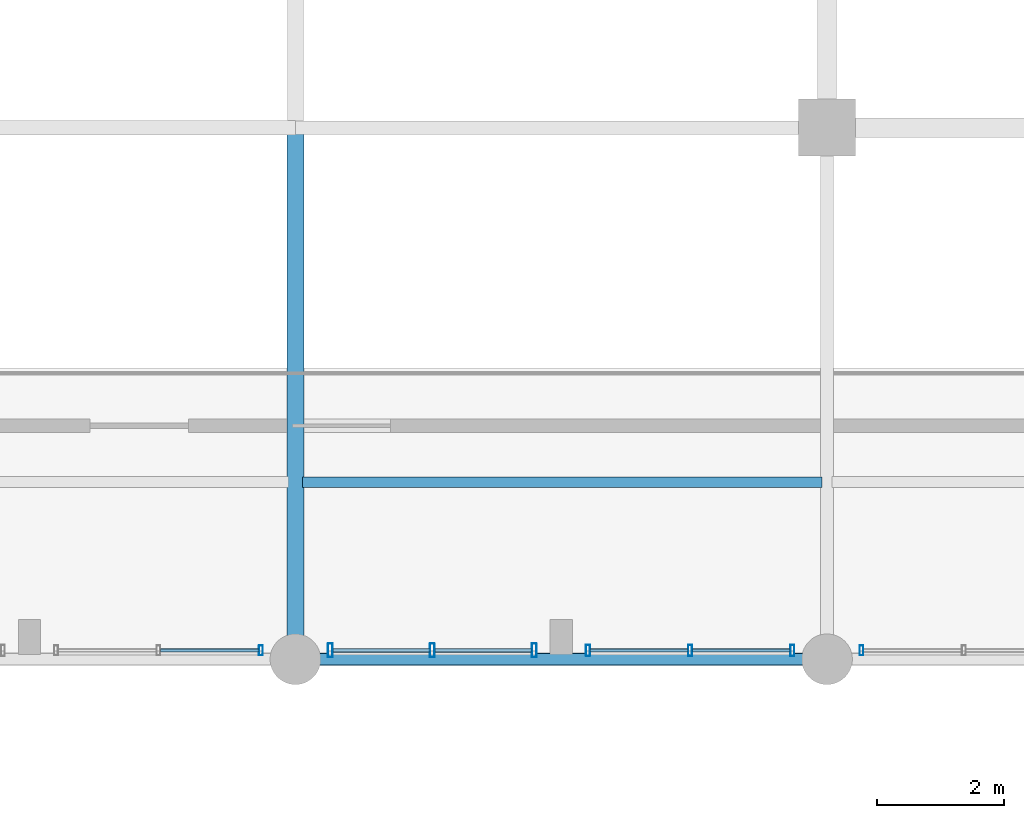
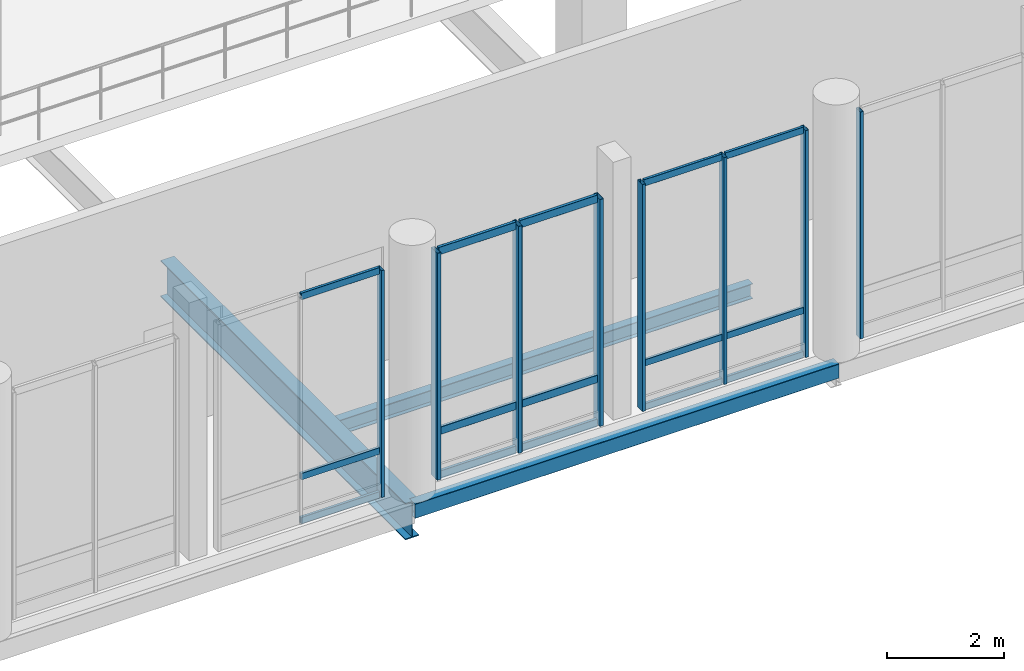
# One storey, part 46 of 128: 23 members, 3 beams, 4 elements without a shape of their own.
"""IFC4 building model written with IfcOpenShell, lengths in metres."""

from ifc_helpers import new_model, si_unit, direction, frame, origin_with_axes, origin_2d_with_axis, place, context, subcontext, project, spatial, hollow_rectangle, i_section, extrude, material, material_profile, profile_set, type_object, element, aggregate, save


model = new_model("IFC4")

# Units and contexts
model_context = context("Model", 3, precision=1e-05, world=origin_with_axes(), true_north=direction((0.0, 1.0)))
body_context = subcontext(model_context, "Body", "Model", "MODEL_VIEW")
ifc_project = project(units=[si_unit("LENGTHUNIT", "METRE"), si_unit("AREAUNIT", "SQUARE_METRE"), si_unit("VOLUMEUNIT", "CUBIC_METRE"), si_unit("PLANEANGLEUNIT", "RADIAN"), si_unit("MASSUNIT", "GRAM", prefix="KILO"), si_unit("THERMODYNAMICTEMPERATUREUNIT", "KELVIN")], contexts=[model_context])

# Site, building, storey
site_placement = place(None, origin_with_axes())
site = spatial("IfcSite", under=ifc_project, at=site_placement, CompositionType="ELEMENT")
building_placement = place(site_placement, origin_with_axes())
building = spatial("IfcBuilding", under=site, at=building_placement, Name="Montbau Bow Law Courts", CompositionType="ELEMENT")
storey_placement = place(building_placement, frame((0.0, 0.0, 5.4), z_axis=(0.0, 0.0, 1.0), x_axis=(1.0, 0.0, 0.0)))
storey = spatial("IfcBuildingStorey", under=building, at=storey_placement, Name="L01", CompositionType="ELEMENT", Elevation=5.4)

# Beams
ifc_material_1 = material(Name="Steel CSA G40.21 Grade 350W (350 MPa)", Category="steel")
ifc_material_profile_1 = material_profile(ifc_material_1, i_section(OverallWidth=0.267, OverallDepth=0.766, WebThickness=0.0149, FlangeThickness=0.0236, at=origin_2d_with_axis()), Name="W760X185", Category="Main", Priority=0)
ifc_profile_set_1 = profile_set([ifc_material_profile_1], Name="Steel CSA G40.21 Grade 350W (350 MPa)")
beam_type_1 = type_object("IfcBeamType", Name="B-FLR-03", PredefinedType="BEAM", material=ifc_profile_set_1)
beam_1_placement = place(None, frame((72.0, 22.2, 4.777), z_axis=(0.0, 1.0, 0.0), x_axis=(-1.0, 0.0, 0.0)))
element("IfcBeam", 1, at=beam_1_placement, inside=storey, type_object=beam_type_1, Name="BM-L01-S1086:bm2_1089", PredefinedType="BEAM", context=body_context, shape_type="SweptSolid", body=[
    extrude(i_section(OverallWidth=0.267, OverallDepth=0.766, WebThickness=0.0149, FlangeThickness=0.0236, at=origin_2d_with_axis()), origin_with_axes(), (0.0, 0.0, 1.0), 8.4),
])
ifc_material_profile_2 = material_profile(ifc_material_1, i_section(OverallWidth=0.166, OverallDepth=0.313, WebThickness=0.0066, FlangeThickness=0.0112, at=origin_2d_with_axis()), Name="W310X45", Category="Main", Priority=0)
ifc_profile_set_2 = profile_set([ifc_material_profile_2], Name="Steel CSA G40.21 Grade 350W (350 MPa)")
beam_type_2 = type_object("IfcBeamType", Name="B-JST-04", PredefinedType="JOIST", material=ifc_profile_set_2)
beam_2_placement = place(None, frame((72.109, 25.0, 5.003), z_axis=(1.0, 0.0, 0.0), x_axis=(0.0, 1.0, 0.0)))
element("IfcBeam", 2, at=beam_2_placement, inside=storey, type_object=beam_type_2, Name="JST-L01-S0551:jst2_0551", PredefinedType="JOIST", context=body_context, shape_type="SweptSolid", body=[
    extrude(i_section(OverallWidth=0.166, OverallDepth=0.313, WebThickness=0.0066, FlangeThickness=0.0112, at=origin_2d_with_axis()), origin_with_axes(), (0.0, 0.0, 1.0), 8.21),
])
ifc_material_2 = material(Name="Steel CSA G40.21 Grade 350WT (350 MPa)", Category="steel")
ifc_material_profile_3 = material_profile(ifc_material_2, hollow_rectangle(XDim=0.203, YDim=0.305, WallThickness=0.0127, InnerFilletRadius=0.0254, OuterFilletRadius=0.0127, at=origin_2d_with_axis()), Name="HSS305X203X13", Category="Main", Priority=0)
ifc_profile_set_3 = profile_set([ifc_material_profile_3], Name="Steel CSA G40.21 Grade 350WT (350 MPa)")
beam_type_3 = type_object("IfcBeamType", Name="B-SPN-02", PredefinedType="SPANDREL", material=ifc_profile_set_3)
beam_3_placement = place(None, frame((72.0, 22.2, 5.008), z_axis=(1.0, 0.0, 0.0), x_axis=(0.0, 1.0, 0.0)))
element("IfcBeam", 3, at=beam_3_placement, inside=storey, type_object=beam_type_3, Name="SPN-L01-S1064:bm2_1067", PredefinedType="SPANDREL", context=body_context, shape_type="SweptSolid", body=[
    extrude(hollow_rectangle(XDim=0.203, YDim=0.305, WallThickness=0.0127, InnerFilletRadius=0.0254, OuterFilletRadius=0.0127, at=origin_2d_with_axis()), origin_with_axes(), (0.0, 0.0, 1.0), 8.4),
])

# Curtain wall, members
ifc_material_3 = material(Name="Thermally Broken Extruded Aluminium AA 6063-T6", Category="aluminium")
curtain_wall_type = type_object("IfcCurtainWallType", Name="CW-WGC-01", PredefinedType="NOTDEFINED", material=ifc_material_3)
curtain_wall_1_placement = place(None, frame((72.515, 22.34, 5.4), z_axis=(0.0, 0.0, 1.0), x_axis=(1.0, 0.0, 0.0)))
curtain_wall_1 = element("IfcCurtainWall", 4, at=curtain_wall_1_placement, inside=storey, type_object=curtain_wall_type, Name="CW-L01-402:cw_0402", PredefinedType="NOTDEFINED")
ifc_material_profile_4 = material_profile(ifc_material_3, hollow_rectangle(XDim=0.075, YDim=0.22, WallThickness=0.005, InnerFilletRadius=0.01, OuterFilletRadius=0.005, at=origin_2d_with_axis()), Name="CWM-220X75", Category="Main", Priority=0)
ifc_profile_set_4 = profile_set([ifc_material_profile_4], Name="Thermally Broken Extruded Aluminium AA 6063-T6")
member_type_1 = type_object("IfcMemberType", Name="M-MUL-01", PredefinedType="MULLION", material=ifc_profile_set_4)
member_1_placement = place(None, frame((72.552, 22.34, 5.4), z_axis=(0.0, 0.0, 1.0), x_axis=(1.0, 0.0, 0.0)))
member_1 = element("IfcMember", 5, at=member_1_placement, type_object=member_type_1, Name="CW-L01-402-M01:cw_0402_M01", PredefinedType="MULLION", context=body_context, shape_type="SweptSolid", body=[
    extrude(hollow_rectangle(XDim=0.075, YDim=0.22, WallThickness=0.005, InnerFilletRadius=0.01, OuterFilletRadius=0.005, at=origin_2d_with_axis()), origin_with_axes(), (0.0, 0.0, 1.0), 4.75),
])
member_2_placement = place(None, frame((74.163, 22.34, 5.4), z_axis=(0.0, 0.0, 1.0), x_axis=(1.0, 0.0, 0.0)))
member_2 = element("IfcMember", 6, at=member_2_placement, type_object=member_type_1, Name="CW-L01-402-M02:cw_0402_M02", PredefinedType="MULLION", context=body_context, shape_type="SweptSolid", body=[
    extrude(hollow_rectangle(XDim=0.075, YDim=0.22, WallThickness=0.005, InnerFilletRadius=0.01, OuterFilletRadius=0.005, at=origin_2d_with_axis()), origin_with_axes(), (0.0, 0.0, 1.0), 4.75),
])
member_3_placement = place(None, frame((75.773, 22.34, 5.4), z_axis=(0.0, 0.0, 1.0), x_axis=(1.0, 0.0, 0.0)))
member_3 = element("IfcMember", 7, at=member_3_placement, type_object=member_type_1, Name="CW-L01-402-M03:cw_0402_M03", PredefinedType="MULLION", context=body_context, shape_type="SweptSolid", body=[
    extrude(hollow_rectangle(XDim=0.075, YDim=0.22, WallThickness=0.005, InnerFilletRadius=0.01, OuterFilletRadius=0.005, at=origin_2d_with_axis()), origin_with_axes(), (0.0, 0.0, 1.0), 4.75),
])

curtain_wall_2_placement = place(None, frame((76.59, 22.34, 5.4), z_axis=(0.0, 0.0, 1.0), x_axis=(1.0, 0.0, 0.0)))
curtain_wall_2 = element("IfcCurtainWall", 8, at=curtain_wall_2_placement, inside=storey, type_object=curtain_wall_type, Name="CW-L01-403:cw_0403", PredefinedType="NOTDEFINED")
ifc_material_profile_5 = material_profile(ifc_material_3, hollow_rectangle(XDim=0.065, YDim=0.18, WallThickness=0.005, InnerFilletRadius=0.01, OuterFilletRadius=0.005, at=origin_2d_with_axis()), Name="CWM-180X65", Category="Main", Priority=0)
ifc_profile_set_5 = profile_set([ifc_material_profile_5], Name="Thermally Broken Extruded Aluminium AA 6063-T6")
member_type_2 = type_object("IfcMemberType", Name="M-MUL-02", PredefinedType="MULLION", material=ifc_profile_set_5)
member_4_placement = place(None, frame((76.623, 22.34, 5.4), z_axis=(0.0, 0.0, 1.0), x_axis=(1.0, 0.0, 0.0)))
member_4 = element("IfcMember", 9, at=member_4_placement, type_object=member_type_2, Name="CW-L01-403-M01:cw_0403_M01", PredefinedType="MULLION", context=body_context, shape_type="SweptSolid", body=[
    extrude(hollow_rectangle(XDim=0.065, YDim=0.18, WallThickness=0.005, InnerFilletRadius=0.01, OuterFilletRadius=0.005, at=origin_2d_with_axis()), origin_with_axes(), (0.0, 0.0, 1.0), 4.75),
])
member_5_placement = place(None, frame((78.238, 22.34, 5.4), z_axis=(0.0, 0.0, 1.0), x_axis=(1.0, 0.0, 0.0)))
member_5 = element("IfcMember", 10, at=member_5_placement, type_object=member_type_2, Name="CW-L01-403-M02:cw_0403_M02", PredefinedType="MULLION", context=body_context, shape_type="SweptSolid", body=[
    extrude(hollow_rectangle(XDim=0.065, YDim=0.18, WallThickness=0.005, InnerFilletRadius=0.01, OuterFilletRadius=0.005, at=origin_2d_with_axis()), origin_with_axes(), (0.0, 0.0, 1.0), 4.75),
])
member_6_placement = place(None, frame((79.853, 22.34, 5.4), z_axis=(0.0, 0.0, 1.0), x_axis=(1.0, 0.0, 0.0)))
member_6 = element("IfcMember", 11, at=member_6_placement, type_object=member_type_2, Name="CW-L01-403-M03:cw_0403_M03", PredefinedType="MULLION", context=body_context, shape_type="SweptSolid", body=[
    extrude(hollow_rectangle(XDim=0.065, YDim=0.18, WallThickness=0.005, InnerFilletRadius=0.01, OuterFilletRadius=0.005, at=origin_2d_with_axis()), origin_with_axes(), (0.0, 0.0, 1.0), 4.75),
])

# Curtain wall, member
curtain_wall_3_placement = place(None, frame((68.19, 22.34, 5.4), z_axis=(0.0, 0.0, 1.0), x_axis=(1.0, 0.0, 0.0)))
curtain_wall_3 = element("IfcCurtainWall", 12, at=curtain_wall_3_placement, inside=storey, type_object=curtain_wall_type, Name="CW-L01-401:cw_0401", PredefinedType="NOTDEFINED")
ifc_material_profile_6 = material_profile(ifc_material_3, hollow_rectangle(XDim=0.06, YDim=0.16, WallThickness=0.004, InnerFilletRadius=0.008, OuterFilletRadius=0.004, at=origin_2d_with_axis()), Name="CWM-160X60", Category="Main", Priority=0)
ifc_profile_set_6 = profile_set([ifc_material_profile_6], Name="Thermally Broken Extruded Aluminium AA 6063-T6")
member_type_3 = type_object("IfcMemberType", Name="M-MUL-03", PredefinedType="MULLION", material=ifc_profile_set_6)
member_7_placement = place(None, frame((71.455, 22.34, 5.4), z_axis=(0.0, 0.0, 1.0), x_axis=(1.0, 0.0, 0.0)))
member_7 = element("IfcMember", 13, at=member_7_placement, type_object=member_type_3, Name="CW-L01-401-M03:cw_0401_M03", PredefinedType="MULLION", context=body_context, shape_type="SweptSolid", body=[
    extrude(hollow_rectangle(XDim=0.06, YDim=0.16, WallThickness=0.004, InnerFilletRadius=0.008, OuterFilletRadius=0.004, at=origin_2d_with_axis()), origin_with_axes(), (0.0, 0.0, 1.0), 4.75),
])

curtain_wall_4_placement = place(None, frame((80.915, 22.34, 5.4), z_axis=(0.0, 0.0, 1.0), x_axis=(1.0, 0.0, 0.0)))
curtain_wall_4 = element("IfcCurtainWall", 14, at=curtain_wall_4_placement, inside=storey, type_object=curtain_wall_type, Name="CW-L01-404:cw_0404", PredefinedType="NOTDEFINED")
member_8_placement = place(None, frame((80.945, 22.34, 5.4), z_axis=(0.0, 0.0, 1.0), x_axis=(1.0, 0.0, 0.0)))
member_8 = element("IfcMember", 15, at=member_8_placement, type_object=member_type_3, Name="CW-L01-404-M01:cw_0404_M01", PredefinedType="MULLION", context=body_context, shape_type="SweptSolid", body=[
    extrude(hollow_rectangle(XDim=0.06, YDim=0.16, WallThickness=0.004, InnerFilletRadius=0.008, OuterFilletRadius=0.004, at=origin_2d_with_axis()), origin_with_axes(), (0.0, 0.0, 1.0), 4.75),
])
aggregate(curtain_wall_4, [member_8])

# Member
ifc_material_profile_7 = material_profile(ifc_material_3, hollow_rectangle(XDim=0.06, YDim=0.16, WallThickness=0.004, InnerFilletRadius=0.008, OuterFilletRadius=0.004, at=origin_2d_with_axis()), Name="CWT-160X60", Category="Main", Priority=0)
ifc_profile_set_7 = profile_set([ifc_material_profile_7], Name="Thermally Broken Extruded Aluminium AA 6063-T6")
member_type_4 = type_object("IfcMemberType", Name="M-TRN-01", PredefinedType="USERDEFINED", material=ifc_profile_set_7)
member_9_placement = place(None, frame((72.591, 22.34, 5.43), z_axis=(1.0, 0.0, 0.0), x_axis=(0.0, 1.0, 0.0)))
member_9 = element("IfcMember", 16, at=member_9_placement, type_object=member_type_4, Name="CW-L01-402-T01-1:cw_0402_T01_1", ObjectType="TRANSOM", PredefinedType="USERDEFINED", context=body_context, shape_type="SweptSolid", body=[
    extrude(hollow_rectangle(XDim=0.06, YDim=0.16, WallThickness=0.004, InnerFilletRadius=0.008, OuterFilletRadius=0.004, at=origin_2d_with_axis()), origin_with_axes(), (0.0, 0.0, 1.0), 1.532),
])

member_10_placement = place(None, frame((72.591, 22.34, 6.35), z_axis=(1.0, 0.0, 0.0), x_axis=(0.0, 1.0, 0.0)))
member_10 = element("IfcMember", 17, at=member_10_placement, type_object=member_type_4, Name="CW-L01-402-T01-2:cw_0402_T01_2", ObjectType="TRANSOM", PredefinedType="USERDEFINED", context=body_context, shape_type="SweptSolid", body=[
    extrude(hollow_rectangle(XDim=0.06, YDim=0.16, WallThickness=0.004, InnerFilletRadius=0.008, OuterFilletRadius=0.004, at=origin_2d_with_axis()), origin_with_axes(), (0.0, 0.0, 1.0), 1.532),
])

member_11_placement = place(None, frame((72.591, 22.34, 10.12), z_axis=(1.0, 0.0, 0.0), x_axis=(0.0, 1.0, 0.0)))
member_11 = element("IfcMember", 18, at=member_11_placement, type_object=member_type_4, Name="CW-L01-402-T01-3:cw_0402_T01_3", ObjectType="TRANSOM", PredefinedType="USERDEFINED", context=body_context, shape_type="SweptSolid", body=[
    extrude(hollow_rectangle(XDim=0.06, YDim=0.16, WallThickness=0.004, InnerFilletRadius=0.008, OuterFilletRadius=0.004, at=origin_2d_with_axis()), origin_with_axes(), (0.0, 0.0, 1.0), 1.532),
])

member_12_placement = place(None, frame((74.203, 22.34, 5.43), z_axis=(1.0, 0.0, 0.0), x_axis=(0.0, 1.0, 0.0)))
member_12 = element("IfcMember", 19, at=member_12_placement, type_object=member_type_4, Name="CW-L01-402-T02-1:cw_0402_T02_1", ObjectType="TRANSOM", PredefinedType="USERDEFINED", context=body_context, shape_type="SweptSolid", body=[
    extrude(hollow_rectangle(XDim=0.06, YDim=0.16, WallThickness=0.004, InnerFilletRadius=0.008, OuterFilletRadius=0.004, at=origin_2d_with_axis()), origin_with_axes(), (0.0, 0.0, 1.0), 1.531),
])

member_13_placement = place(None, frame((74.203, 22.34, 6.35), z_axis=(1.0, 0.0, 0.0), x_axis=(0.0, 1.0, 0.0)))
member_13 = element("IfcMember", 20, at=member_13_placement, type_object=member_type_4, Name="CW-L01-402-T02-2:cw_0402_T02_2", ObjectType="TRANSOM", PredefinedType="USERDEFINED", context=body_context, shape_type="SweptSolid", body=[
    extrude(hollow_rectangle(XDim=0.06, YDim=0.16, WallThickness=0.004, InnerFilletRadius=0.008, OuterFilletRadius=0.004, at=origin_2d_with_axis()), origin_with_axes(), (0.0, 0.0, 1.0), 1.531),
])

member_14_placement = place(None, frame((74.203, 22.34, 10.12), z_axis=(1.0, 0.0, 0.0), x_axis=(0.0, 1.0, 0.0)))
member_14 = element("IfcMember", 21, at=member_14_placement, type_object=member_type_4, Name="CW-L01-402-T02-3:cw_0402_T02_3", ObjectType="TRANSOM", PredefinedType="USERDEFINED", context=body_context, shape_type="SweptSolid", body=[
    extrude(hollow_rectangle(XDim=0.06, YDim=0.16, WallThickness=0.004, InnerFilletRadius=0.008, OuterFilletRadius=0.004, at=origin_2d_with_axis()), origin_with_axes(), (0.0, 0.0, 1.0), 1.531),
])

aggregate(curtain_wall_1, [member_1, member_2, member_3, member_9, member_10, member_11, member_12, member_13, member_14])

ifc_material_profile_8 = material_profile(ifc_material_3, hollow_rectangle(XDim=0.055, YDim=0.14, WallThickness=0.004, InnerFilletRadius=0.008, OuterFilletRadius=0.004, at=origin_2d_with_axis()), Name="CWT-140X55", Category="Main", Priority=0)
ifc_profile_set_8 = profile_set([ifc_material_profile_8], Name="Thermally Broken Extruded Aluminium AA 6063-T6")
member_type_5 = type_object("IfcMemberType", Name="M-TRN-02", PredefinedType="USERDEFINED", material=ifc_profile_set_8)
member_15_placement = place(None, frame((69.87, 22.34, 5.428), z_axis=(1.0, 0.0, 0.0), x_axis=(0.0, 1.0, 0.0)))
member_15 = element("IfcMember", 22, at=member_15_placement, type_object=member_type_5, Name="CW-L01-401-T02-1:cw_0401_T02_1", ObjectType="TRANSOM", PredefinedType="USERDEFINED", context=body_context, shape_type="SweptSolid", body=[
    extrude(hollow_rectangle(XDim=0.055, YDim=0.14, WallThickness=0.004, InnerFilletRadius=0.008, OuterFilletRadius=0.004, at=origin_2d_with_axis()), origin_with_axes(), (0.0, 0.0, 1.0), 1.553),
])

member_16_placement = place(None, frame((69.87, 22.34, 6.35), z_axis=(1.0, 0.0, 0.0), x_axis=(0.0, 1.0, 0.0)))
member_16 = element("IfcMember", 23, at=member_16_placement, type_object=member_type_5, Name="CW-L01-401-T02-2:cw_0401_T02_2", ObjectType="TRANSOM", PredefinedType="USERDEFINED", context=body_context, shape_type="SweptSolid", body=[
    extrude(hollow_rectangle(XDim=0.055, YDim=0.14, WallThickness=0.004, InnerFilletRadius=0.008, OuterFilletRadius=0.004, at=origin_2d_with_axis()), origin_with_axes(), (0.0, 0.0, 1.0), 1.553),
])

member_17_placement = place(None, frame((69.87, 22.34, 10.123), z_axis=(1.0, 0.0, 0.0), x_axis=(0.0, 1.0, 0.0)))
member_17 = element("IfcMember", 24, at=member_17_placement, type_object=member_type_5, Name="CW-L01-401-T02-3:cw_0401_T02_3", ObjectType="TRANSOM", PredefinedType="USERDEFINED", context=body_context, shape_type="SweptSolid", body=[
    extrude(hollow_rectangle(XDim=0.055, YDim=0.14, WallThickness=0.004, InnerFilletRadius=0.008, OuterFilletRadius=0.004, at=origin_2d_with_axis()), origin_with_axes(), (0.0, 0.0, 1.0), 1.553),
])

aggregate(curtain_wall_3, [member_7, member_15, member_16, member_17])

member_18_placement = place(None, frame((76.658, 22.34, 5.428), z_axis=(1.0, 0.0, 0.0), x_axis=(0.0, 1.0, 0.0)))
member_18 = element("IfcMember", 25, at=member_18_placement, type_object=member_type_5, Name="CW-L01-403-T01-1:cw_0403_T01_1", ObjectType="TRANSOM", PredefinedType="USERDEFINED", context=body_context, shape_type="SweptSolid", body=[
    extrude(hollow_rectangle(XDim=0.055, YDim=0.14, WallThickness=0.004, InnerFilletRadius=0.008, OuterFilletRadius=0.004, at=origin_2d_with_axis()), origin_with_axes(), (0.0, 0.0, 1.0), 1.545),
])

member_19_placement = place(None, frame((76.658, 22.34, 6.35), z_axis=(1.0, 0.0, 0.0), x_axis=(0.0, 1.0, 0.0)))
member_19 = element("IfcMember", 26, at=member_19_placement, type_object=member_type_5, Name="CW-L01-403-T01-2:cw_0403_T01_2", ObjectType="TRANSOM", PredefinedType="USERDEFINED", context=body_context, shape_type="SweptSolid", body=[
    extrude(hollow_rectangle(XDim=0.055, YDim=0.14, WallThickness=0.004, InnerFilletRadius=0.008, OuterFilletRadius=0.004, at=origin_2d_with_axis()), origin_with_axes(), (0.0, 0.0, 1.0), 1.545),
])

member_20_placement = place(None, frame((76.658, 22.34, 10.123), z_axis=(1.0, 0.0, 0.0), x_axis=(0.0, 1.0, 0.0)))
member_20 = element("IfcMember", 27, at=member_20_placement, type_object=member_type_5, Name="CW-L01-403-T01-3:cw_0403_T01_3", ObjectType="TRANSOM", PredefinedType="USERDEFINED", context=body_context, shape_type="SweptSolid", body=[
    extrude(hollow_rectangle(XDim=0.055, YDim=0.14, WallThickness=0.004, InnerFilletRadius=0.008, OuterFilletRadius=0.004, at=origin_2d_with_axis()), origin_with_axes(), (0.0, 0.0, 1.0), 1.545),
])

member_21_placement = place(None, frame((78.272, 22.34, 5.428), z_axis=(1.0, 0.0, 0.0), x_axis=(0.0, 1.0, 0.0)))
member_21 = element("IfcMember", 28, at=member_21_placement, type_object=member_type_5, Name="CW-L01-403-T02-1:cw_0403_T02_1", ObjectType="TRANSOM", PredefinedType="USERDEFINED", context=body_context, shape_type="SweptSolid", body=[
    extrude(hollow_rectangle(XDim=0.055, YDim=0.14, WallThickness=0.004, InnerFilletRadius=0.008, OuterFilletRadius=0.004, at=origin_2d_with_axis()), origin_with_axes(), (0.0, 0.0, 1.0), 1.546),
])

member_22_placement = place(None, frame((78.272, 22.34, 6.35), z_axis=(1.0, 0.0, 0.0), x_axis=(0.0, 1.0, 0.0)))
member_22 = element("IfcMember", 29, at=member_22_placement, type_object=member_type_5, Name="CW-L01-403-T02-2:cw_0403_T02_2", ObjectType="TRANSOM", PredefinedType="USERDEFINED", context=body_context, shape_type="SweptSolid", body=[
    extrude(hollow_rectangle(XDim=0.055, YDim=0.14, WallThickness=0.004, InnerFilletRadius=0.008, OuterFilletRadius=0.004, at=origin_2d_with_axis()), origin_with_axes(), (0.0, 0.0, 1.0), 1.546),
])

member_23_placement = place(None, frame((78.272, 22.34, 10.123), z_axis=(1.0, 0.0, 0.0), x_axis=(0.0, 1.0, 0.0)))
member_23 = element("IfcMember", 30, at=member_23_placement, type_object=member_type_5, Name="CW-L01-403-T02-3:cw_0403_T02_3", ObjectType="TRANSOM", PredefinedType="USERDEFINED", context=body_context, shape_type="SweptSolid", body=[
    extrude(hollow_rectangle(XDim=0.055, YDim=0.14, WallThickness=0.004, InnerFilletRadius=0.008, OuterFilletRadius=0.004, at=origin_2d_with_axis()), origin_with_axes(), (0.0, 0.0, 1.0), 1.546),
])

aggregate(curtain_wall_2, [member_4, member_5, member_6, member_18, member_19, member_20, member_21, member_22, member_23])

save(model, "model.ifc")
